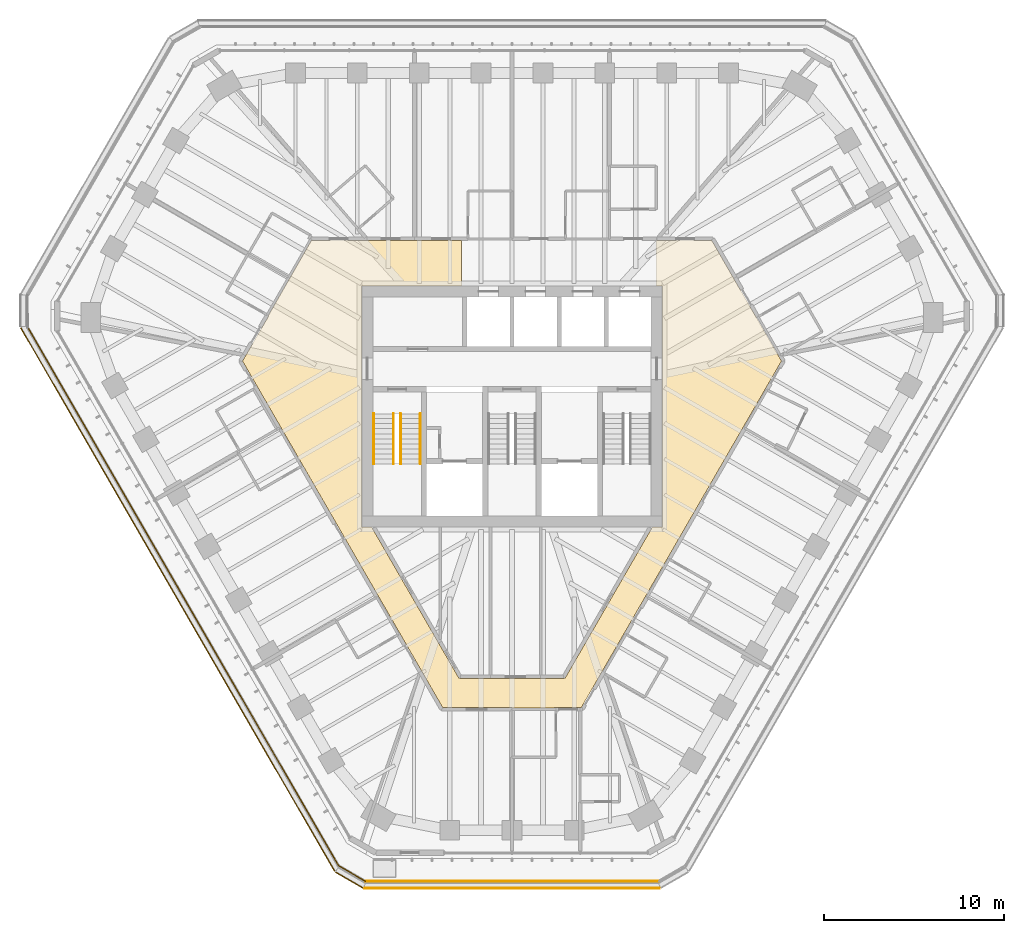
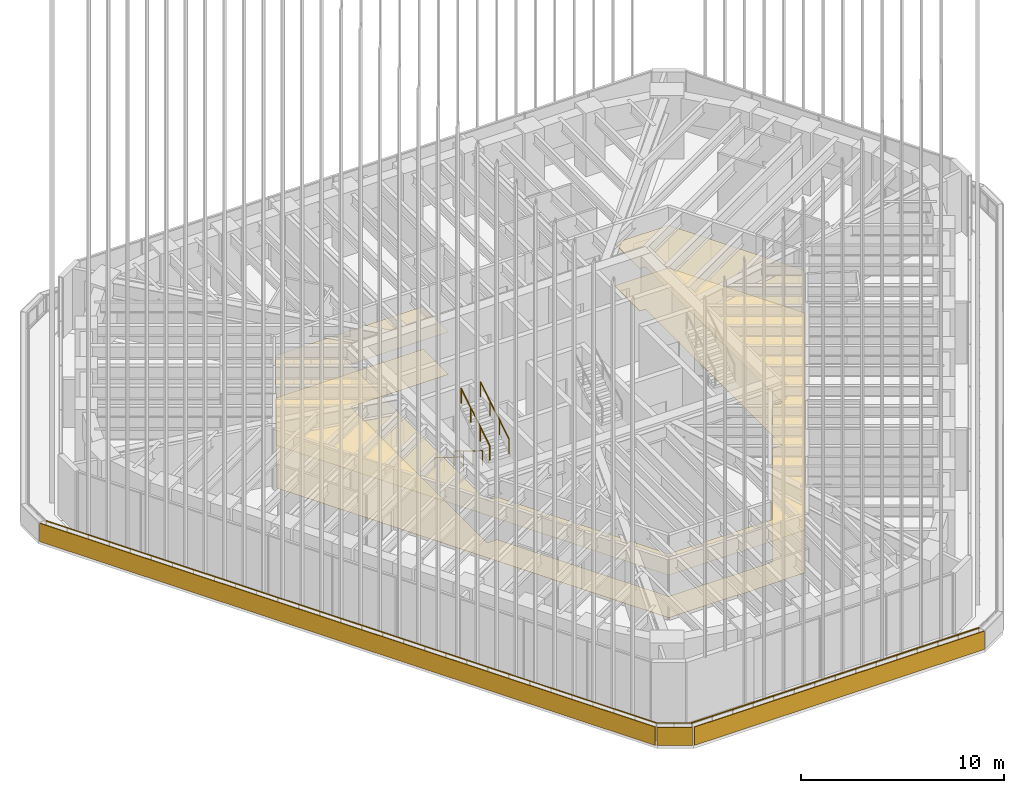
# One storey, part 125 of 127: 7 railings, 5 coverings.
"""IFC4 building model written with IfcOpenShell, lengths in metres."""

from ifc_helpers import new_model, si_unit, direction, frame, frame_2d, origin, origin_2d, place, context, subcontext, project, spatial, polyline, rectangle, circle, outline, extrude, material, layer, layer_set, type_object, element, save


model = new_model("IFC4")

# Units and contexts
model_context = context("Model", 3, precision=1e-05, world=origin(), true_north=direction((0.0, 1.0)))
body_context = subcontext(model_context, "Body", "Model", "MODEL_VIEW")
ifc_project = project(units=[si_unit("LENGTHUNIT", "METRE"), si_unit("AREAUNIT", "SQUARE_METRE"), si_unit("VOLUMEUNIT", "CUBIC_METRE"), si_unit("PLANEANGLEUNIT", "RADIAN"), si_unit("MASSUNIT", "GRAM", prefix="KILO")], contexts=[model_context])

# Site, building, storey
site_placement = place(None, origin())
site = spatial("IfcSite", under=ifc_project, at=site_placement, CompositionType="ELEMENT")
building_placement = place(site_placement, origin())
building = spatial("IfcBuilding", under=site, at=building_placement, Name="Sandreach Pilgrim Tower", CompositionType="ELEMENT")
storey_placement = place(building_placement, frame((0.0, 0.0, 257.0)))
storey = spatial("IfcBuildingStorey", under=building, at=storey_placement, Name="L64", CompositionType="ELEMENT", Elevation=257.0)

# Coverings
ifc_material_1 = material(Name="Nylon carpet tile on the slab", Category="textile")
ifc_layer_1 = layer(ifc_material_1, 0.008056640625)
ifc_layer_set_1 = layer_set([ifc_layer_1], Name="Carpet tile")
covering_type_1 = type_object("IfcCoveringType", Name="Carpet tile", PredefinedType="FLOORING", material=ifc_layer_set_1)
covering_1_placement = place(storey_placement, origin())
element("IfcCovering", 1, at=covering_1_placement, inside=storey, type_object=covering_type_1, Name="Floor finish 64C Corridor 64", PredefinedType="FLOORING", context=body_context, shape_type="SweptSolid", body=[
    extrude(outline(polyline([(-15.004150390625, 2.529541015625), (-13.54345703125, 5.0498046875), (-13.559814453125, 5.059326171875), (-11.178466796875, 9.22998046875), (-2.800048828125, 9.22998046875), (-2.800048828125, 6.719970703125), (-8.3701171875, 6.719970703125), (-8.3701171875, -6.719970703125), (-7.812744140625, -6.719970703125), (-2.937744140625, -15.159912109375), (2.937744140625, -15.159912109375), (7.812744140625, -6.719970703125), (8.3701171875, -6.719970703125), (8.3701171875, 6.719970703125), (8.050048828125, 6.719970703125), (8.050048828125, 9.22998046875), (11.13232421875, 9.22998046875), (15.004150390625, 2.529541015625), (3.8623046875, -16.760009765625), (2.449951171875, -16.760009765625), (2.449951171875, -16.774658203125), (0.0, -16.800048828125), (0.0, -16.760009765625), (-3.8623046875, -16.760009765625), (-15.004150390625, 2.529541015625)])), origin(), (0.0, 0.0, 1.0), 0.008056640625),
])
ifc_material_2 = material(Name="Gypsum board suspended ceiling on a steel grid", Category="steel")
ifc_layer_2 = layer(ifc_material_2, 0.012939453125)
ifc_layer_set_2 = layer_set([ifc_layer_2], Name="Gypsum board suspended ceiling")
covering_type_2 = type_object("IfcCoveringType", Name="Gypsum board suspended ceiling", PredefinedType="CEILING", material=ifc_layer_set_2)
covering_2_placement = place(storey_placement, frame((0.0, 0.0, 2.550048828125)))
element("IfcCovering", 2, at=covering_2_placement, inside=storey, type_object=covering_type_2, Name="Ceiling 64C Corridor 64", PredefinedType="CEILING", context=body_context, shape_type="SweptSolid", body=[
    extrude(outline(polyline([(-15.004150390625, 2.529541015625), (-13.54345703125, 5.0498046875), (-13.559814453125, 5.059326171875), (-11.178466796875, 9.22998046875), (-2.800048828125, 9.22998046875), (-2.800048828125, 6.719970703125), (-8.3701171875, 6.719970703125), (-8.3701171875, -6.719970703125), (-7.812744140625, -6.719970703125), (-2.937744140625, -15.159912109375), (2.937744140625, -15.159912109375), (7.812744140625, -6.719970703125), (8.3701171875, -6.719970703125), (8.3701171875, 6.719970703125), (8.050048828125, 6.719970703125), (8.050048828125, 9.22998046875), (11.13232421875, 9.22998046875), (15.004150390625, 2.529541015625), (3.8623046875, -16.760009765625), (2.449951171875, -16.760009765625), (2.449951171875, -16.774658203125), (0.0, -16.800048828125), (0.0, -16.760009765625), (-3.8623046875, -16.760009765625), (-15.004150390625, 2.529541015625)])), origin(), (0.0, 0.0, 1.0), 0.012939453125),
])

# Railings
ifc_material_3 = material(Name="Galvanised steel guardrail", Category="steel")
railing_type_1 = type_object("IfcRailingType", Name="Setback roof guard", PredefinedType="GUARDRAIL", material=ifc_material_3)
railing_1_placement = place(storey_placement, frame((-26.9716796875, 4.41552734375, 0.0)))
element("IfcRailing", 3, at=railing_1_placement, inside=storey, type_object=railing_type_1, Name="Setback maintenance roof guard L64 4", PredefinedType="GUARDRAIL", context=body_context, shape_type="SweptSolid", body=[
    extrude(circle(Radius=0.02392578125, at=origin_2d()), frame((0.0, 0.0, 1.076171875), z_axis=(0.499995121033, -0.866028220639, 0.0), x_axis=(0.866028220639, 0.499995121033, 0.0)), (0.0, 0.0, 1.0), 34.619384765625),
    extrude(circle(Radius=0.02099609375, at=origin_2d()), origin(), (0.0, 0.0, 1.0), 1.052001953125),
    extrude(circle(Radius=0.02099609375, at=origin_2d()), frame((0.596923828125, -1.033935546875, 0.0)), (0.0, 0.0, 1.0), 1.052001953125),
    extrude(circle(Radius=0.02099609375, at=origin_2d()), frame((1.19384765625, -2.067626953125, 0.0)), (0.0, 0.0, 1.0), 1.052001953125),
    extrude(circle(Radius=0.02099609375, at=origin_2d()), frame((1.79052734375, -3.1015625, 0.0)), (0.0, 0.0, 1.0), 1.052001953125),
    extrude(circle(Radius=0.02099609375, at=origin_2d()), frame((2.387451171875, -4.13525390625, 0.0)), (0.0, 0.0, 1.0), 1.052001953125),
    extrude(circle(Radius=0.02099609375, at=origin_2d()), frame((2.984375, -5.169189453125, 0.0)), (0.0, 0.0, 1.0), 1.052001953125),
    extrude(circle(Radius=0.02099609375, at=origin_2d()), frame((3.581298828125, -6.203125, 0.0)), (0.0, 0.0, 1.0), 1.052001953125),
    extrude(circle(Radius=0.02099609375, at=origin_2d()), frame((4.17822265625, -7.23681640625, 0.0)), (0.0, 0.0, 1.0), 1.052001953125),
    extrude(circle(Radius=0.02099609375, at=origin_2d()), frame((4.775146484375, -8.270751953125, 0.0)), (0.0, 0.0, 1.0), 1.052001953125),
    extrude(circle(Radius=0.02099609375, at=origin_2d()), frame((5.371826171875, -9.3046875, 0.0)), (0.0, 0.0, 1.0), 1.052001953125),
    extrude(circle(Radius=0.02099609375, at=origin_2d()), frame((5.96875, -10.33837890625, 0.0)), (0.0, 0.0, 1.0), 1.052001953125),
    extrude(circle(Radius=0.02099609375, at=origin_2d()), frame((6.565673828125, -11.372314453125, 0.0)), (0.0, 0.0, 1.0), 1.052001953125),
    extrude(circle(Radius=0.02099609375, at=origin_2d()), frame((7.16259765625, -12.406005859375, 0.0)), (0.0, 0.0, 1.0), 1.052001953125),
    extrude(circle(Radius=0.02099609375, at=origin_2d()), frame((7.759521484375, -13.43994140625, 0.0)), (0.0, 0.0, 1.0), 1.052001953125),
    extrude(circle(Radius=0.02099609375, at=origin_2d()), frame((8.3564453125, -14.473876953125, 0.0)), (0.0, 0.0, 1.0), 1.052001953125),
    extrude(circle(Radius=0.02099609375, at=origin_2d()), frame((8.953125, -15.507568359375, 0.0)), (0.0, 0.0, 1.0), 1.052001953125),
    extrude(circle(Radius=0.02099609375, at=origin_2d()), frame((9.550048828125, -16.54150390625, 0.0)), (0.0, 0.0, 1.0), 1.052001953125),
    extrude(circle(Radius=0.02099609375, at=origin_2d()), frame((10.14697265625, -17.575439453125, 0.0)), (0.0, 0.0, 1.0), 1.052001953125),
    extrude(circle(Radius=0.02099609375, at=origin_2d()), frame((10.743896484375, -18.609130859375, 0.0)), (0.0, 0.0, 1.0), 1.052001953125),
    extrude(circle(Radius=0.02099609375, at=origin_2d()), frame((11.3408203125, -19.64306640625, 0.0)), (0.0, 0.0, 1.0), 1.052001953125),
    extrude(circle(Radius=0.02099609375, at=origin_2d()), frame((11.937744140625, -20.6767578125, 0.0)), (0.0, 0.0, 1.0), 1.052001953125),
    extrude(circle(Radius=0.02099609375, at=origin_2d()), frame((12.534423828125, -21.710693359375, 0.0)), (0.0, 0.0, 1.0), 1.052001953125),
    extrude(circle(Radius=0.02099609375, at=origin_2d()), frame((13.13134765625, -22.74462890625, 0.0)), (0.0, 0.0, 1.0), 1.052001953125),
    extrude(circle(Radius=0.02099609375, at=origin_2d()), frame((13.728271484375, -23.7783203125, 0.0)), (0.0, 0.0, 1.0), 1.052001953125),
    extrude(circle(Radius=0.02099609375, at=origin_2d()), frame((14.3251953125, -24.812255859375, 0.0)), (0.0, 0.0, 1.0), 1.052001953125),
    extrude(circle(Radius=0.02099609375, at=origin_2d()), frame((14.922119140625, -25.84619140625, 0.0)), (0.0, 0.0, 1.0), 1.052001953125),
    extrude(circle(Radius=0.02099609375, at=origin_2d()), frame((15.51904296875, -26.8798828125, 0.0)), (0.0, 0.0, 1.0), 1.052001953125),
    extrude(circle(Radius=0.02099609375, at=origin_2d()), frame((16.11572265625, -27.913818359375, 0.0)), (0.0, 0.0, 1.0), 1.052001953125),
    extrude(circle(Radius=0.02099609375, at=origin_2d()), frame((16.712646484375, -28.947509765625, 0.0)), (0.0, 0.0, 1.0), 1.052001953125),
    extrude(circle(Radius=0.02099609375, at=origin_2d()), frame((17.3095703125, -29.9814453125, 0.0)), (0.0, 0.0, 1.0), 1.052001953125),
])
railing_2_placement = place(storey_placement, frame((-9.662109375, -25.56591796875, 0.0)))
element("IfcRailing", 4, at=railing_2_placement, inside=storey, type_object=railing_type_1, Name="Setback maintenance roof guard L64 5", PredefinedType="GUARDRAIL", context=body_context, shape_type="SweptSolid", body=[
    extrude(circle(Radius=0.02392578125, at=origin_2d()), frame((0.0, 0.0, 1.076171875), z_axis=(0.864640010441, -0.50239193101, 0.0), x_axis=(0.50239193101, 0.864640010441, 0.0)), (0.0, 0.0, 1.0), 1.74560546875),
    extrude(circle(Radius=0.02099609375, at=origin_2d()), origin(), (0.0, 0.0, 1.0), 1.052001953125),
    extrude(circle(Radius=0.02099609375, at=origin_2d()), frame((0.754638671875, -0.4384765625, 0.0)), (0.0, 0.0, 1.0), 1.052001953125),
    extrude(circle(Radius=0.02099609375, at=origin_2d()), frame((1.50927734375, -0.876953125, 0.0)), (0.0, 0.0, 1.0), 1.052001953125),
])
railing_3_placement = place(storey_placement, frame((-8.15283203125, -26.44287109375, 0.0)))
element("IfcRailing", 5, at=railing_3_placement, inside=storey, type_object=railing_type_1, Name="Setback maintenance roof guard L64 6", PredefinedType="GUARDRAIL", context=body_context, shape_type="SweptSolid", body=[
    extrude(circle(Radius=0.02392578125, at=origin_2d()), frame((0.0, 0.0, 1.076171875), z_axis=(1.0, 0.0, 0.0), x_axis=(0.0, 1.0, 0.0)), (0.0, 0.0, 1.0), 16.3056640625),
    extrude(circle(Radius=0.02099609375, at=origin_2d()), origin(), (0.0, 0.0, 1.0), 1.052001953125),
    extrude(circle(Radius=0.02099609375, at=origin_2d()), frame((1.164794921875, 0.0, 0.0)), (0.0, 0.0, 1.0), 1.052001953125),
    extrude(circle(Radius=0.02099609375, at=origin_2d()), frame((2.329345703125, 0.0, 0.0)), (0.0, 0.0, 1.0), 1.052001953125),
    extrude(circle(Radius=0.02099609375, at=origin_2d()), frame((3.494140625, 0.0, 0.0)), (0.0, 0.0, 1.0), 1.052001953125),
    extrude(circle(Radius=0.02099609375, at=origin_2d()), frame((4.65869140625, 0.0, 0.0)), (0.0, 0.0, 1.0), 1.052001953125),
    extrude(circle(Radius=0.02099609375, at=origin_2d()), frame((5.823486328125, 0.0, 0.0)), (0.0, 0.0, 1.0), 1.052001953125),
    extrude(circle(Radius=0.02099609375, at=origin_2d()), frame((6.988037109375, 0.0, 0.0)), (0.0, 0.0, 1.0), 1.052001953125),
    extrude(circle(Radius=0.02099609375, at=origin_2d()), frame((8.15283203125, 0.0, 0.0)), (0.0, 0.0, 1.0), 1.052001953125),
    extrude(circle(Radius=0.02099609375, at=origin_2d()), frame((9.317626953125, 0.0, 0.0)), (0.0, 0.0, 1.0), 1.052001953125),
    extrude(circle(Radius=0.02099609375, at=origin_2d()), frame((10.482177734375, 0.0, 0.0)), (0.0, 0.0, 1.0), 1.052001953125),
    extrude(circle(Radius=0.02099609375, at=origin_2d()), frame((11.64697265625, 0.0, 0.0)), (0.0, 0.0, 1.0), 1.052001953125),
    extrude(circle(Radius=0.02099609375, at=origin_2d()), frame((12.8115234375, 0.0, 0.0)), (0.0, 0.0, 1.0), 1.052001953125),
    extrude(circle(Radius=0.02099609375, at=origin_2d()), frame((13.976318359375, 0.0, 0.0)), (0.0, 0.0, 1.0), 1.052001953125),
    extrude(circle(Radius=0.02099609375, at=origin_2d()), frame((15.140869140625, 0.0, 0.0)), (0.0, 0.0, 1.0), 1.052001953125),
    extrude(circle(Radius=0.02099609375, at=origin_2d()), frame((16.3056640625, 0.0, 0.0)), (0.0, 0.0, 1.0), 1.052001953125),
])
ifc_material_4 = material(Name="Stainless steel tube", Category="steel")
railing_type_2 = type_object("IfcRailingType", Name="Stair handrail", PredefinedType="HANDRAIL", material=ifc_material_4)
for number, where, name in (
    (6, (-6.60009765625, -0.39990234375, 0.172607421875), "Handrail ST1 L64 flight 1"),
    (7, (-7.699951171875, -0.39990234375, 0.172607421875), "Handrail ST1 L64 flight 1"),
):
    element("IfcRailing", number, at=place(storey_placement, frame(where)), inside=storey, type_object=railing_type_2, Name=name, PredefinedType="HANDRAIL", context=body_context, shape_type="SweptSolid", body=[
        extrude(circle(Radius=0.02392578125, at=origin_2d()), frame((0.0, 0.0, 0.8759765625), z_axis=(0.0, -0.851089632645, 0.525020415988), x_axis=(1.0, 0.0, 0.0)), (0.0, 0.0, 1.0), 3.2900390625),
        extrude(circle(Radius=0.02099609375, at=origin_2d()), origin(), (0.0, 0.0, 1.0), 0.851806640625),
        extrude(circle(Radius=0.02099609375, at=origin_2d()), frame((0.0, -0.933349609375, 0.57568359375)), (0.0, 0.0, 1.0), 0.851806640625),
        extrude(circle(Radius=0.02099609375, at=origin_2d()), frame((0.0, -1.86669921875, 1.151611328125)), (0.0, 0.0, 1.0), 0.851806640625),
        extrude(circle(Radius=0.02099609375, at=origin_2d()), frame((0.0, -2.800048828125, 1.727294921875)), (0.0, 0.0, 1.0), 0.851806640625),
    ])
for number, where, name in (
    (8, (-6.199951171875, -3.199951171875, 2.07275390625), "Handrail ST1 L64 flight 2"),
    (9, (-5.10009765625, -3.199951171875, 2.07275390625), "Handrail ST1 L64 flight 2"),
):
    element("IfcRailing", number, at=place(storey_placement, frame(where)), inside=storey, type_object=railing_type_2, Name=name, PredefinedType="HANDRAIL", context=body_context, shape_type="SweptSolid", body=[
        extrude(circle(Radius=0.02392578125, at=origin_2d()), frame((0.0, 0.0, 0.8759765625), z_axis=(0.0, 0.851089632645, 0.525020415988), x_axis=(-1.0, 0.0, 0.0)), (0.0, 0.0, 1.0), 3.2900390625),
        extrude(circle(Radius=0.02099609375, at=origin_2d()), origin(), (0.0, 0.0, 1.0), 0.851806640625),
        extrude(circle(Radius=0.02099609375, at=origin_2d()), frame((0.0, 0.933349609375, 0.57568359375)), (0.0, 0.0, 1.0), 0.851806640625),
        extrude(circle(Radius=0.02099609375, at=origin_2d()), frame((0.0, 1.86669921875, 1.151611328125)), (0.0, 0.0, 1.0), 0.851806640625),
        extrude(circle(Radius=0.02099609375, at=origin_2d()), frame((0.0, 2.800048828125, 1.727294921875)), (0.0, 0.0, 1.0), 0.851806640625),
    ])

# Coverings
ifc_material_5 = material(Name="Terracotta rainscreen panels on aluminium rails", Category="masonry")
ifc_layer_3 = layer(ifc_material_5, 0.050048828125)
ifc_layer_set_3 = layer_set([ifc_layer_3], Name="Terracotta rainscreen cladding 50")
covering_type_3 = type_object("IfcCoveringType", Name="Terracotta rainscreen cladding 50", PredefinedType="CLADDING", material=ifc_layer_set_3)
covering_3_placement = place(storey_placement, frame((-27.348388671875, 4.380859375, 0.0), z_axis=(0.0, 0.0, 1.0), x_axis=(0.499998496786, -0.866026271663, 0.0)))
element("IfcCovering", 10, at=covering_3_placement, inside=storey, type_object=covering_type_3, Name="Rainscreen cladding on setback parapet l64 4", PredefinedType="CLADDING", context=body_context, shape_type="SweptSolid", body=[
    extrude(rectangle(XDim=34.93603515625, YDim=0.050048828125, at=frame_2d((17.468017578125, 0.0))), origin(), (0.0, 0.0, 1.0), 1.10009765625),
])
covering_4_placement = place(storey_placement, frame((-9.825439453125, -25.9296875, 0.0), z_axis=(0.0, 0.0, 1.0), x_axis=(0.865533858736, -0.500850416174, 0.0)))
element("IfcCovering", 11, at=covering_4_placement, inside=storey, type_object=covering_type_3, Name="Rainscreen cladding on setback parapet l64 5", PredefinedType="CLADDING", context=body_context, shape_type="SweptSolid", body=[
    extrude(rectangle(XDim=1.7607421875, YDim=0.050048828125, at=frame_2d((0.88037109375, 0.0))), origin(), (0.0, 0.0, 1.0), 1.10009765625),
])
covering_5_placement = place(storey_placement, frame((-8.226318359375, -26.831787109375, 0.0), z_axis=(0.0, 0.0, 1.0), x_axis=(1.0, 0.0, 0.0)))
element("IfcCovering", 12, at=covering_5_placement, inside=storey, type_object=covering_type_3, Name="Rainscreen cladding on setback parapet l64 6", PredefinedType="CLADDING", context=body_context, shape_type="SweptSolid", body=[
    extrude(rectangle(XDim=16.45263671875, YDim=0.050048828125, at=frame_2d((8.226318359375, 0.0))), origin(), (0.0, 0.0, 1.0), 1.10009765625),
])

save(model, "model.ifc")
